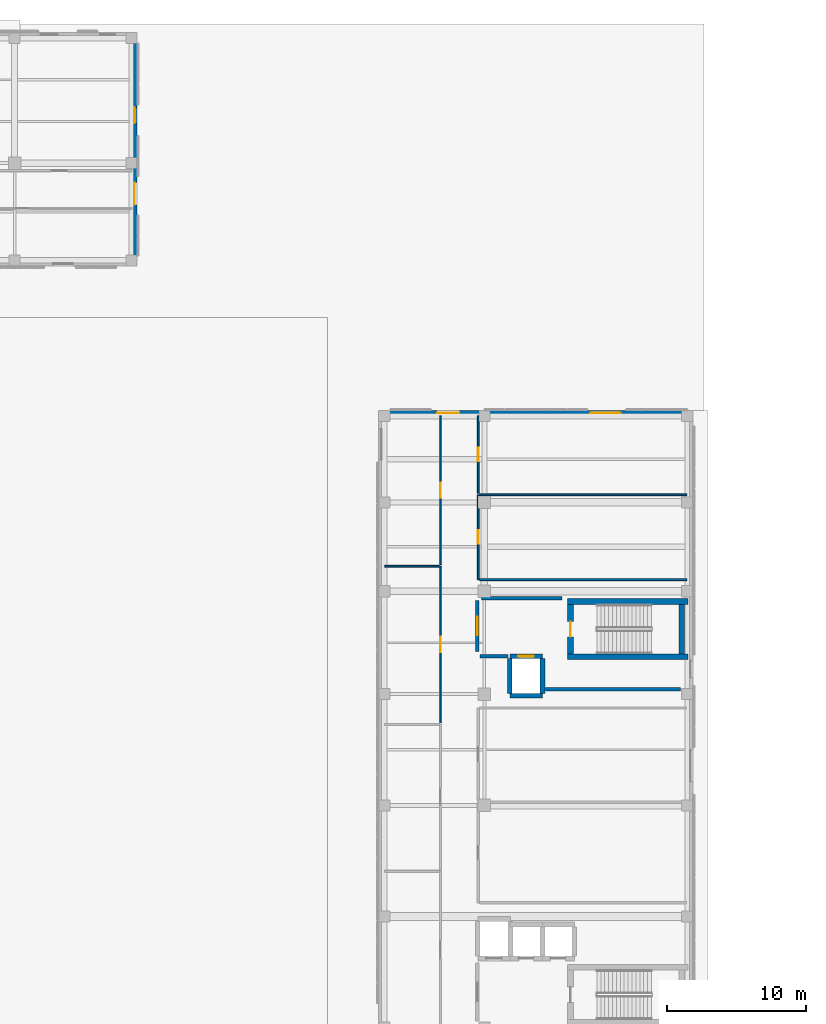
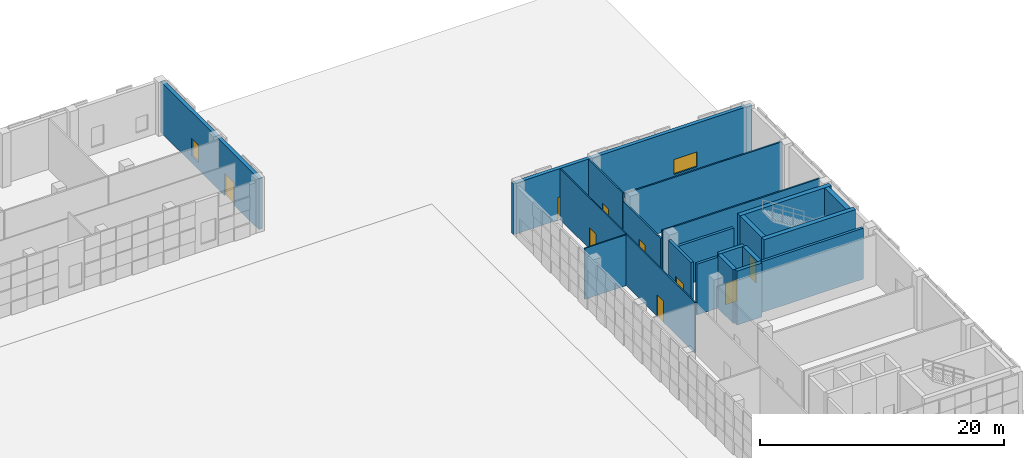
# One storey, part 16 of 40: 21 walls, 9 doors, 2 windows, 11 openings.
"""IFC4 building model written with IfcOpenShell, lengths in metres."""

from ifc_helpers import new_model, si_unit, direction, frame, frame_2d, origin, place, context, subcontext, project, spatial, rectangle, extrude, material, layer, layer_set, type_object, element, fill, save


model = new_model("IFC4")

# Units and contexts
model_context = context("Model", 3, precision=1e-05, world=origin(), true_north=direction((0.0, 1.0)))
body_context = subcontext(model_context, "Body", "Model", "MODEL_VIEW")
ifc_project = project(units=[si_unit("LENGTHUNIT", "METRE"), si_unit("AREAUNIT", "SQUARE_METRE"), si_unit("VOLUMEUNIT", "CUBIC_METRE"), si_unit("PLANEANGLEUNIT", "RADIAN"), si_unit("MASSUNIT", "GRAM", prefix="KILO")], contexts=[model_context])

# Site, building, storey
site_placement = place(None, origin())
site = spatial("IfcSite", under=ifc_project, at=site_placement, CompositionType="ELEMENT")
building_placement = place(site_placement, origin())
building = spatial("IfcBuilding", under=site, at=building_placement, Name="Qalavern Law Courts", CompositionType="ELEMENT")
storey_placement = place(building_placement, origin())
storey = spatial("IfcBuildingStorey", under=building, at=storey_placement, Name="L00", CompositionType="ELEMENT", Elevation=0.0)

# Wall, openings, door, window
ifc_material_1 = material(Name="Concrete C40/50", Category="concrete")
ifc_layer_1 = layer(ifc_material_1, 0.340087890625)
ifc_layer_set_1 = layer_set([ifc_layer_1], Name="Concrete C40/50")
wall_type_1 = type_object("IfcWallType", Name="ENV-EW-340", PredefinedType="SOLIDWALL", material=ifc_layer_set_1)
wall_1_placement = place(storey_placement, frame((106.800048828125, 85.6298828125, 0.0), z_axis=(0.0, 0.0, 1.0), x_axis=(-1.0, 0.0, 0.0)))
wall_1 = element("IfcWall", 1, at=wall_1_placement, inside=storey, type_object=wall_type_1, Name="V4 exterior wall L00 north 1", PredefinedType="SOLIDWALL", context=body_context, shape_type="SweptSolid", body=[
    extrude(rectangle(XDim=22.60009765625, YDim=0.340087890625, at=frame_2d((11.300048828125, 0.0))), origin(), (0.0, 0.0, 1.0), 5.10009765625),
])
opening_1_placement = place(wall_1_placement, frame((16.800048828125, 0.0, 0.0)))
opening_1 = element("IfcOpeningElement", 2, at=opening_1_placement, cuts=wall_1, Name="Opening ED-CORR-V4N", PredefinedType="OPENING", context=body_context, shape_type="SweptSolid", body=[
    extrude(rectangle(XDim=1.60009765625, YDim=2.260009765625, at=frame_2d((0.800048828125, 1.1298828125))), frame((0.0, 0.18505859375, 0.0), z_axis=(0.0, -1.0, 0.0), x_axis=(1.0, 0.0, 0.0)), (0.0, 0.0, 1.0), 0.369873046875),
])
opening_2_placement = place(wall_1_placement, frame((5.199951171875, 0.0, 0.719970703125)))
opening_2 = element("IfcOpeningElement", 3, at=opening_2_placement, cuts=wall_1, Name="Opening WN-08", PredefinedType="OPENING", context=body_context, shape_type="SweptSolid", body=[
    extrude(rectangle(XDim=2.199951171875, YDim=1.5, at=frame_2d((1.10009765625, 0.75))), frame((0.0, 0.18505859375, 0.0), z_axis=(0.0, -1.0, 0.0), x_axis=(1.0, 0.0, 0.0)), (0.0, 0.0, 1.0), 0.369873046875),
])
ifc_material_2 = material(Name="Thermally broken anodised aluminium and laminated safety glass", Category="aluminium")
door_type_1 = type_object("IfcDoorType", Name="ENV-ED-1600x2260", OperationType="DOUBLE_DOOR_SINGLE_SWING", PredefinedType="DOOR", material=ifc_material_2)
door_1_placement = place(opening_1_placement, frame((1.60009765625, 0.0, 0.0), z_axis=(0.0, 0.0, 1.0), x_axis=(-1.0, 0.0, 0.0)))
door_1 = element("IfcDoor", 4, at=door_1_placement, inside=storey, type_object=door_type_1, Name="Ground pedestrian exit door ED-CORR-V4N", OperationType="DOUBLE_DOOR_SINGLE_SWING", OverallHeight=2.260009765625, OverallWidth=1.60009765625, PredefinedType="DOOR", context=body_context, shape_type="SweptSolid", body=[
    extrude(rectangle(XDim=1.60009765625, YDim=2.260009765625, at=frame_2d((0.800048828125, 1.1298828125))), frame((0.0, 0.02490234375, 0.0), z_axis=(0.0, -1.0, 0.0), x_axis=(1.0, 0.0, 0.0)), (0.0, 0.0, 1.0), 0.050048828125),
])
fill(opening_1, door_1)
ifc_material_3 = material(Name="Anodised aluminium frame with low-E double glazing", Category="aluminium")
window_type_1 = type_object("IfcWindowType", Name="ENV-WIN-2200x1500", PartitioningType="SINGLE_PANEL", PredefinedType="WINDOW", material=ifc_material_3)
window_1_placement = place(opening_2_placement, origin())
window_1 = element("IfcWindow", 5, at=window_1_placement, inside=storey, type_object=window_type_1, Name="V4 window L00 north 2", OverallHeight=1.5, OverallWidth=2.199951171875, PartitioningType="SINGLE_PANEL", PredefinedType="WINDOW", context=body_context, shape_type="SweptSolid", body=[
    extrude(rectangle(XDim=2.199951171875, YDim=1.5, at=frame_2d((1.10009765625, 0.75))), frame((0.0, 0.030029296875, 0.0), z_axis=(0.0, -1.0, 0.0), x_axis=(1.0, 0.0, 0.0)), (0.0, 0.0, 1.0), 0.06005859375),
])
fill(opening_2, window_1)

wall_2_placement = place(storey_placement, frame((66.6298828125, 96.534912109375, 0.0), z_axis=(0.0, 0.0, 1.0), x_axis=(0.0, 1.0, 0.0)))
wall_2 = element("IfcWall", 6, at=wall_2_placement, inside=storey, type_object=wall_type_1, Name="V5 exterior wall L00 east 1", PredefinedType="SOLIDWALL", context=body_context, shape_type="SweptSolid", body=[
    extrude(rectangle(XDim=16.130126953125, YDim=0.340087890625, at=frame_2d((8.06494140625, 0.0))), origin(), (0.0, 0.0, 1.0), 5.10009765625),
])
opening_3_placement = place(wall_2_placement, frame((4.06494140625, 0.0, 0.0)))
opening_3 = element("IfcOpeningElement", 7, at=opening_3_placement, cuts=wall_2, Name="Opening ED-CORR-V5E", PredefinedType="OPENING", context=body_context, shape_type="SweptSolid", body=[
    extrude(rectangle(XDim=1.60009765625, YDim=2.260009765625, at=frame_2d((0.800048828125, 1.1298828125))), frame((0.0, 0.18505859375, 0.0), z_axis=(0.0, -1.0, 0.0), x_axis=(1.0, 0.0, 0.0)), (0.0, 0.0, 1.0), 0.369873046875),
])
opening_4_placement = place(wall_2_placement, frame((9.925048828125, 0.0, 0.719970703125)))
opening_4 = element("IfcOpeningElement", 8, at=opening_4_placement, cuts=wall_2, Name="Opening WN-09", PredefinedType="OPENING", context=body_context, shape_type="SweptSolid", body=[
    extrude(rectangle(XDim=1.14990234375, YDim=1.75, at=frame_2d((0.574951171875, 0.875))), frame((0.0, 0.18505859375, 0.0), z_axis=(0.0, -1.0, 0.0), x_axis=(1.0, 0.0, 0.0)), (0.0, 0.0, 1.0), 0.369873046875),
])
door_2_placement = place(opening_3_placement, frame((1.60009765625, 0.0, 0.0), z_axis=(0.0, 0.0, 1.0), x_axis=(-1.0, 0.0, 0.0)))
door_2 = element("IfcDoor", 9, at=door_2_placement, inside=storey, type_object=door_type_1, Name="Ground pedestrian exit door ED-CORR-V5E", OperationType="DOUBLE_DOOR_SINGLE_SWING", OverallHeight=2.260009765625, OverallWidth=1.60009765625, PredefinedType="DOOR", context=body_context, shape_type="SweptSolid", body=[
    extrude(rectangle(XDim=1.60009765625, YDim=2.260009765625, at=frame_2d((0.800048828125, 1.1298828125))), frame((0.0, 0.02490234375, 0.0), z_axis=(0.0, -1.0, 0.0), x_axis=(1.0, 0.0, 0.0)), (0.0, 0.0, 1.0), 0.050048828125),
])
fill(opening_3, door_2)
window_type_2 = type_object("IfcWindowType", Name="ENV-WIN-1150x1750", PartitioningType="SINGLE_PANEL", PredefinedType="WINDOW", material=ifc_material_3)
window_2_placement = place(opening_4_placement, origin())
window_2 = element("IfcWindow", 10, at=window_2_placement, inside=storey, type_object=window_type_2, Name="V5 window L00 east 3", OverallHeight=1.75, OverallWidth=1.14990234375, PartitioningType="SINGLE_PANEL", PredefinedType="WINDOW", context=body_context, shape_type="SweptSolid", body=[
    extrude(rectangle(XDim=1.14990234375, YDim=1.75, at=frame_2d((0.574951171875, 0.875))), frame((0.0, 0.030029296875, 0.0), z_axis=(0.0, -1.0, 0.0), x_axis=(1.0, 0.0, 0.0)), (0.0, 0.0, 1.0), 0.06005859375),
])
fill(opening_4, window_2)

# Walls
ifc_material_4 = material(Name="Concrete C45/55", Category="concrete")
ifc_layer_2 = layer(ifc_material_4, 0.4150390625)
ifc_layer_set_2 = layer_set([ifc_layer_2], Name="Concrete C45/55")
wall_type_2 = type_object("IfcWallType", Name="INT-CW-415", PredefinedType="SHEAR", material=ifc_layer_set_2)
wall_3_placement = place(storey_placement, frame((97.784912109375, 68.092529296875, 0.0), z_axis=(0.0, 0.0, 1.0), x_axis=(1.0, 0.0, 0.0)))
element("IfcWall", 11, at=wall_3_placement, inside=storey, type_object=wall_type_2, Name="Core K1B stair shear wall L00 south", PredefinedType="SHEAR", context=body_context, shape_type="SweptSolid", body=[
    extrude(rectangle(XDim=8.672119140625, YDim=0.4150390625, at=frame_2d((4.3359375, 0.0))), origin(), (0.0, 0.0, 1.0), 5.39990234375),
])
wall_4_placement = place(storey_placement, frame((106.007568359375, 68.300048828125, 0.0), z_axis=(0.0, 0.0, 1.0), x_axis=(0.0, 1.0, 0.0)))
element("IfcWall", 12, at=wall_4_placement, inside=storey, type_object=wall_type_2, Name="Core K1B stair shear wall L00 east", PredefinedType="SHEAR", context=body_context, shape_type="SweptSolid", body=[
    extrude(rectangle(XDim=3.550048828125, YDim=0.4150390625, at=frame_2d((1.77490234375, 0.0))), origin(), (0.0, 0.0, 1.0), 5.39990234375),
])
wall_5_placement = place(storey_placement, frame((106.45703125, 72.0576171875, 0.0), z_axis=(0.0, 0.0, 1.0), x_axis=(-1.0, 0.0, 0.0)))
element("IfcWall", 13, at=wall_5_placement, inside=storey, type_object=wall_type_2, Name="Core K1B stair shear wall L00 north", PredefinedType="SHEAR", context=body_context, shape_type="SweptSolid", body=[
    extrude(rectangle(XDim=8.672119140625, YDim=0.4150390625, at=frame_2d((4.3359375, 0.0))), origin(), (0.0, 0.0, 1.0), 5.39990234375),
])

# Wall, opening, door
wall_6_placement = place(storey_placement, frame((97.992431640625, 71.85009765625, 0.0), z_axis=(0.0, 0.0, 1.0), x_axis=(0.0, -1.0, 0.0)))
wall_6 = element("IfcWall", 14, at=wall_6_placement, inside=storey, type_object=wall_type_2, Name="Core K1B stair shear wall L00 west", PredefinedType="SHEAR", context=body_context, shape_type="SweptSolid", body=[
    extrude(rectangle(XDim=3.550048828125, YDim=0.4150390625, at=frame_2d((1.77490234375, 0.0))), origin(), (0.0, 0.0, 1.0), 5.39990234375),
])
opening_5_placement = place(wall_6_placement, frame((1.22509765625, 0.0, 0.0)))
opening_5 = element("IfcOpeningElement", 15, at=opening_5_placement, cuts=wall_6, Name="Opening L00-D029", PredefinedType="OPENING", context=body_context, shape_type="SweptSolid", body=[
    extrude(rectangle(XDim=1.10009765625, YDim=2.14990234375, at=frame_2d((0.550048828125, 1.074951171875))), frame((0.0, 0.222412109375, 0.0), z_axis=(0.0, -1.0, 0.0), x_axis=(1.0, 0.0, 0.0)), (0.0, 0.0, 1.0), 0.44482421875),
])
ifc_material_5 = material(Name="Steel fire-rated stair enclosure door", Category="steel")
door_type_2 = type_object("IfcDoorType", Name="INT-FD-1100x2150", OperationType="NOTDEFINED", PredefinedType="DOOR", material=ifc_material_5)
door_3_placement = place(opening_5_placement, frame((1.10009765625, 0.0, 0.0), z_axis=(0.0, 0.0, 1.0), x_axis=(-1.0, 0.0, 0.0)))
door_3 = element("IfcDoor", 16, at=door_3_placement, inside=storey, type_object=door_type_2, Name="Stair K1B fire door L00", OperationType="SINGLE_SWING_LEFT", OverallHeight=2.14990234375, OverallWidth=1.10009765625, PredefinedType="DOOR", context=body_context, shape_type="SweptSolid", body=[
    extrude(rectangle(XDim=1.10009765625, YDim=2.14990234375, at=frame_2d((0.550048828125, 1.074951171875))), frame((0.0, 0.02490234375, 0.0), z_axis=(0.0, -1.0, 0.0), x_axis=(1.0, 0.0, 0.0)), (0.0, 0.0, 1.0), 0.050048828125),
])
fill(opening_5, door_3)

ifc_layer_3 = layer(ifc_material_1, 0.2451171875)
ifc_layer_set_3 = layer_set([ifc_layer_3], Name="Concrete C40/50")
wall_type_3 = type_object("IfcWallType", Name="INT-FW-245", PredefinedType="PARTITIONING", material=ifc_layer_set_3)
wall_7_placement = place(storey_placement, frame((91.300048828125, 68.449951171875, 0.0), z_axis=(0.0, 0.0, 1.0), x_axis=(0.0, 1.0, 0.0)))
wall_7 = element("IfcWall", 17, at=wall_7_placement, inside=storey, type_object=wall_type_3, Name="Core K1B firefighting/stair lobby fire wall L00", PredefinedType="PARTITIONING", context=body_context, shape_type="SweptSolid", body=[
    extrude(rectangle(XDim=3.699951171875, YDim=0.2451171875, at=frame_2d((1.85009765625, 0.0))), origin(), (0.0, 0.0, 1.0), 5.10009765625),
])
opening_6_placement = place(wall_7_placement, frame((1.175048828125, 0.0, 0.0)))
opening_6 = element("IfcOpeningElement", 18, at=opening_6_placement, cuts=wall_7, Name="Opening L00-D030", PredefinedType="OPENING", context=body_context, shape_type="SweptSolid", body=[
    extrude(rectangle(XDim=1.35009765625, YDim=2.199951171875, at=frame_2d((0.675048828125, 1.10009765625))), frame((0.0, 0.137451171875, 0.0), z_axis=(0.0, -1.0, 0.0), x_axis=(1.0, 0.0, 0.0)), (0.0, 0.0, 1.0), 0.27490234375),
])
ifc_material_6 = material(Name="Steel fire-rated frame and acoustic timber leaves", Category="steel")
door_type_3 = type_object("IfcDoorType", Name="INT-FD-1350x2200", OperationType="DOUBLE_DOOR_SINGLE_SWING", PredefinedType="DOOR", material=ifc_material_6)
door_4_placement = place(opening_6_placement, origin())
door_4 = element("IfcDoor", 19, at=door_4_placement, inside=storey, type_object=door_type_3, Name="Core K1B lobby fire door L00", OperationType="DOUBLE_DOOR_SINGLE_SWING", OverallHeight=2.199951171875, OverallWidth=1.35009765625, PredefinedType="DOOR", context=body_context, shape_type="SweptSolid", body=[
    extrude(rectangle(XDim=1.35009765625, YDim=2.199951171875, at=frame_2d((0.675048828125, 1.10009765625))), frame((0.0, 0.02490234375, 0.0), z_axis=(0.0, -1.0, 0.0), x_axis=(1.0, 0.0, 0.0)), (0.0, 0.0, 1.0), 0.050048828125),
])
fill(opening_6, door_4)

# Walls
wall_8_placement = place(storey_placement, frame((91.60009765625, 72.300048828125, 0.0), z_axis=(0.0, 0.0, 1.0), x_axis=(1.0, 0.0, 0.0)))
element("IfcWall", 20, at=wall_8_placement, inside=storey, type_object=wall_type_3, Name="Core K1B lobby return wall L00 north", PredefinedType="PARTITIONING", context=body_context, shape_type="SweptSolid", body=[
    extrude(rectangle(XDim=5.7998046875, YDim=0.2451171875, at=frame_2d((2.89990234375, 0.0))), origin(), (0.0, 0.0, 1.0), 4.1298828125),
])
wall_9_placement = place(storey_placement, frame((91.47998046875, 68.1201171875, 0.0), z_axis=(0.0, 0.0, 1.0), x_axis=(1.0, 0.0, 0.0)))
element("IfcWall", 21, at=wall_9_placement, inside=storey, type_object=wall_type_3, Name="Core K1B protected exit discharge wall L00 sw", PredefinedType="PARTITIONING", context=body_context, shape_type="SweptSolid", body=[
    extrude(rectangle(XDim=2.02001953125, YDim=0.2451171875, at=frame_2d((1.010009765625, 0.0))), origin(), (0.0, 0.0, 1.0), 5.10009765625),
])
wall_10_placement = place(storey_placement, frame((96.199951171875, 65.760009765625, 0.0), z_axis=(0.0, 0.0, 1.0), x_axis=(1.0, 0.0, 0.0)))
element("IfcWall", 22, at=wall_10_placement, inside=storey, type_object=wall_type_3, Name="Core K1B protected exit discharge wall L00 pas-s", PredefinedType="PARTITIONING", context=body_context, shape_type="SweptSolid", body=[
    extrude(rectangle(XDim=9.699951171875, YDim=0.2451171875, at=frame_2d((4.85009765625, 0.0))), origin(), (0.0, 0.0, 1.0), 5.10009765625),
])

# Wall, opening, door
ifc_material_7 = material(Name="Gypsum sanitary partition")
ifc_layer_4 = layer(ifc_material_7, 0.10205078125)
ifc_layer_set_4 = layer_set([ifc_layer_4], Name="Gypsum sanitary partition")
wall_type_4 = type_object("IfcWallType", Name="INT-PW-102", PredefinedType="PARTITIONING", material=ifc_layer_set_4)
wall_11_placement = place(storey_placement, frame((88.639892578125, 74.719970703125, 0.0), z_axis=(0.0, 0.0, 1.0), x_axis=(0.0, 1.0, 0.0)))
wall_11 = element("IfcWall", 23, at=wall_11_placement, inside=storey, type_object=wall_type_4, Name="Legal Aid Clinic corridor partition L00", PredefinedType="PARTITIONING", context=body_context, shape_type="SweptSolid", body=[
    extrude(rectangle(XDim=10.699951171875, YDim=0.10205078125, at=frame_2d((5.35009765625, 0.0))), origin(), (0.0, 0.0, 1.0), 5.10009765625),
])
opening_7_placement = place(wall_11_placement, frame((4.820068359375, 0.0, 0.0)))
opening_7 = element("IfcOpeningElement", 24, at=opening_7_placement, cuts=wall_11, Name="Opening L00-D257", PredefinedType="OPENING", context=body_context, shape_type="SweptSolid", body=[
    extrude(rectangle(XDim=1.06005859375, YDim=2.1201171875, at=frame_2d((0.530029296875, 1.06005859375))), frame((0.0, 0.06591796875, 0.0), z_axis=(0.0, -1.0, 0.0), x_axis=(1.0, 0.0, 0.0)), (0.0, 0.0, 1.0), 0.1318359375),
])
ifc_material_8 = material(Name="Solid oak Trial Judges' Chambers door")
door_type_4 = type_object("IfcDoorType", Name="INT-ID-1060x2120", OperationType="NOTDEFINED", PredefinedType="DOOR", material=ifc_material_8)
door_5_placement = place(opening_7_placement, frame((1.06005859375, 0.0, 0.0), z_axis=(0.0, 0.0, 1.0), x_axis=(-1.0, 0.0, 0.0)))
door_5 = element("IfcDoor", 25, at=door_5_placement, inside=storey, type_object=door_type_4, Name="Legal Aid Clinic door L00", OperationType="SINGLE_SWING_RIGHT", OverallHeight=2.1201171875, OverallWidth=1.06005859375, PredefinedType="DOOR", context=body_context, shape_type="SweptSolid", body=[
    extrude(rectangle(XDim=1.06005859375, YDim=2.1201171875, at=frame_2d((0.530029296875, 1.06005859375))), frame((0.0, 0.02490234375, 0.0), z_axis=(0.0, -1.0, 0.0), x_axis=(1.0, 0.0, 0.0)), (0.0, 0.0, 1.0), 0.050048828125),
])
fill(opening_7, door_5)

ifc_material_9 = material(Name="Gypsum stud partition")
ifc_layer_5 = layer(ifc_material_9, 0.112060546875)
ifc_layer_set_5 = layer_set([ifc_layer_5], Name="Gypsum stud partition")
wall_type_5 = type_object("IfcWallType", Name="INT-PW-112", PredefinedType="PARTITIONING", material=ifc_layer_set_5)
wall_12_placement = place(storey_placement, frame((88.639892578125, 63.33203125, 0.0), z_axis=(0.0, 0.0, 1.0), x_axis=(0.0, 1.0, 0.0)))
wall_12 = element("IfcWall", 26, at=wall_12_placement, inside=storey, type_object=wall_type_5, Name="Mediation Suite corridor partition L00", PredefinedType="PARTITIONING", context=body_context, shape_type="SweptSolid", body=[
    extrude(rectangle(XDim=11.26806640625, YDim=0.112060546875, at=frame_2d((5.634033203125, 0.0))), origin(), (0.0, 0.0, 1.0), 5.10009765625),
])
opening_8_placement = place(wall_12_placement, frame((5.089111328125, 0.0, 0.0)))
opening_8 = element("IfcOpeningElement", 27, at=opening_8_placement, cuts=wall_12, Name="Opening L00-D256", PredefinedType="OPENING", context=body_context, shape_type="SweptSolid", body=[
    extrude(rectangle(XDim=1.090087890625, YDim=2.1298828125, at=frame_2d((0.544921875, 1.06494140625))), frame((0.0, 0.07080078125, 0.0), z_axis=(0.0, -1.0, 0.0), x_axis=(1.0, 0.0, 0.0)), (0.0, 0.0, 1.0), 0.141845703125),
])
ifc_material_10 = material(Name="Solid oak Senior Judges' Chambers door")
door_type_5 = type_object("IfcDoorType", Name="INT-ID-1090x2130", OperationType="NOTDEFINED", PredefinedType="DOOR", material=ifc_material_10)
door_6_placement = place(opening_8_placement, frame((1.090087890625, 0.0, 0.0), z_axis=(0.0, 0.0, 1.0), x_axis=(-1.0, 0.0, 0.0)))
door_6 = element("IfcDoor", 28, at=door_6_placement, inside=storey, type_object=door_type_5, Name="Mediation Suite door L00", OperationType="SINGLE_SWING_LEFT", OverallHeight=2.1298828125, OverallWidth=1.090087890625, PredefinedType="DOOR", context=body_context, shape_type="SweptSolid", body=[
    extrude(rectangle(XDim=1.090087890625, YDim=2.1298828125, at=frame_2d((0.544921875, 1.06494140625))), frame((0.0, 0.02490234375, 0.0), z_axis=(0.0, -1.0, 0.0), x_axis=(1.0, 0.0, 0.0)), (0.0, 0.0, 1.0), 0.050048828125),
])
fill(opening_8, door_6)

# Wall
wall_13_placement = place(storey_placement, frame((84.639892578125, 74.60009765625, 0.0), z_axis=(0.0, 0.0, 1.0), x_axis=(1.0, 0.0, 0.0)))
element("IfcWall", 29, at=wall_13_placement, inside=storey, type_object=wall_type_5, Name="Mediation Suite cross partition L00 north", PredefinedType="PARTITIONING", context=body_context, shape_type="SweptSolid", body=[
    extrude(rectangle(XDim=3.924072265625, YDim=0.112060546875, at=frame_2d((1.9619140625, 0.0))), origin(), (0.0, 0.0, 1.0), 5.10009765625),
])

# Wall, opening, door
ifc_layer_6 = layer(ifc_material_9, 0.132080078125)
ifc_layer_set_6 = layer_set([ifc_layer_6], Name="Gypsum stud partition")
wall_type_6 = type_object("IfcWallType", Name="INT-PW-132", PredefinedType="PARTITIONING", material=ifc_layer_set_6)
wall_14_placement = place(storey_placement, frame((91.360107421875, 79.864990234375, 0.0), z_axis=(0.0, 0.0, 1.0), x_axis=(0.0, 1.0, 0.0)))
wall_14 = element("IfcWall", 30, at=wall_14_placement, inside=storey, type_object=wall_type_6, Name="Mediation Suite corridor partition L00", PredefinedType="PARTITIONING", context=body_context, shape_type="SweptSolid", body=[
    extrude(rectangle(XDim=5.554931640625, YDim=0.132080078125, at=frame_2d((2.77734375, 0.0))), origin(), (0.0, 0.0, 1.0), 5.10009765625),
])
opening_9_placement = place(wall_14_placement, frame((2.297607421875, 0.0, 0.0)))
opening_9 = element("IfcOpeningElement", 31, at=opening_9_placement, cuts=wall_14, Name="Opening L00-D261", PredefinedType="OPENING", context=body_context, shape_type="SweptSolid", body=[
    extrude(rectangle(XDim=0.9599609375, YDim=2.080078125, at=frame_2d((0.47998046875, 1.0400390625))), frame((0.0, 0.0810546875, 0.0), z_axis=(0.0, -1.0, 0.0), x_axis=(1.0, 0.0, 0.0)), (0.0, 0.0, 1.0), 0.161865234375),
])
ifc_material_11 = material(Name="Timber Counsel Consultation door", Category="wood")
door_type_6 = type_object("IfcDoorType", Name="INT-ID-960x2080", OperationType="NOTDEFINED", PredefinedType="DOOR", material=ifc_material_11)
door_7_placement = place(opening_9_placement, origin())
door_7 = element("IfcDoor", 32, at=door_7_placement, inside=storey, type_object=door_type_6, Name="Mediation Suite door L00", OperationType="SINGLE_SWING_RIGHT", OverallHeight=2.080078125, OverallWidth=0.9599609375, PredefinedType="DOOR", context=body_context, shape_type="SweptSolid", body=[
    extrude(rectangle(XDim=0.9599609375, YDim=2.080078125, at=frame_2d((0.47998046875, 1.0400390625))), frame((0.0, 0.02490234375, 0.0), z_axis=(0.0, -1.0, 0.0), x_axis=(1.0, 0.0, 0.0)), (0.0, 0.0, 1.0), 0.050048828125),
])
fill(opening_9, door_7)

ifc_layer_7 = layer(ifc_material_9, 0.14208984375)
ifc_layer_set_7 = layer_set([ifc_layer_7], Name="Gypsum stud partition")
wall_type_7 = type_object("IfcWallType", Name="INT-PW-142", PredefinedType="PARTITIONING", material=ifc_layer_set_7)
wall_15_placement = place(storey_placement, frame((91.360107421875, 73.639892578125, 0.0), z_axis=(0.0, 0.0, 1.0), x_axis=(0.0, 1.0, 0.0)))
wall_15 = element("IfcWall", 33, at=wall_15_placement, inside=storey, type_object=wall_type_7, Name="Commercial Filing Hall corridor partition L00", PredefinedType="PARTITIONING", context=body_context, shape_type="SweptSolid", body=[
    extrude(rectangle(XDim=6.105224609375, YDim=0.14208984375, at=frame_2d((3.052734375, 0.0))), origin(), (0.0, 0.0, 1.0), 4.330078125),
])
opening_10_placement = place(wall_15_placement, frame((2.5625, 0.0, 0.0)))
opening_10 = element("IfcOpeningElement", 34, at=opening_10_placement, cuts=wall_15, Name="Opening L00-D260", PredefinedType="OPENING", context=body_context, shape_type="SweptSolid", body=[
    extrude(rectangle(XDim=0.97998046875, YDim=2.090087890625, at=frame_2d((0.489990234375, 1.044921875))), frame((0.0, 0.0859375, 0.0), z_axis=(0.0, -1.0, 0.0), x_axis=(1.0, 0.0, 0.0)), (0.0, 0.0, 1.0), 0.171875),
])
ifc_material_12 = material(Name="Timber Legal Research Office door", Category="wood")
door_type_7 = type_object("IfcDoorType", Name="INT-ID-980x2090", OperationType="NOTDEFINED", PredefinedType="DOOR", material=ifc_material_12)
door_8_placement = place(opening_10_placement, origin())
door_8 = element("IfcDoor", 35, at=door_8_placement, inside=storey, type_object=door_type_7, Name="Commercial Filing Hall door L00", OperationType="SINGLE_SWING_LEFT", OverallHeight=2.090087890625, OverallWidth=0.97998046875, PredefinedType="DOOR", context=body_context, shape_type="SweptSolid", body=[
    extrude(rectangle(XDim=0.97998046875, YDim=2.090087890625, at=frame_2d((0.489990234375, 1.044921875))), frame((0.0, 0.02490234375, 0.0), z_axis=(0.0, -1.0, 0.0), x_axis=(1.0, 0.0, 0.0)), (0.0, 0.0, 1.0), 0.050048828125),
])
fill(opening_10, door_8)

# Walls
for number, where, z_axis, x_axis, name in (
    (36, (91.450927734375, 73.639892578125, 0.0), (0.0, 0.0, 1.0), (1.0, 0.0, 0.0), "Commercial Filing Hall cross partition L00 south"),
    (37, (91.450927734375, 79.7451171875, 0.0), (0.0, 0.0, 1.0), (1.0, 0.0, 0.0), "Commercial Filing Hall cross partition L00 north"),
):
    element("IfcWall", number, at=place(storey_placement, frame(where, z_axis=z_axis, x_axis=x_axis)), inside=storey, type_object=wall_type_7, Name=name, PredefinedType="PARTITIONING", context=body_context, shape_type="SweptSolid", body=[
        extrude(rectangle(XDim=14.9091796875, YDim=0.14208984375, at=frame_2d((7.45458984375, 0.0))), origin(), (0.0, 0.0, 1.0), 5.10009765625),
    ])
ifc_layer_8 = layer(ifc_material_4, 0.344970703125)
ifc_layer_set_8 = layer_set([ifc_layer_8], Name="Concrete C45/55")
wall_type_8 = type_object("IfcWallType", Name="INT-SW-345", PredefinedType="SHEAR", material=ifc_layer_set_8)
wall_16_placement = place(storey_placement, frame((93.62744140625, 65.277587890625, 0.0), z_axis=(0.0, 0.0, 1.0), x_axis=(1.0, 0.0, 0.0)))
element("IfcWall", 38, at=wall_16_placement, inside=storey, type_object=wall_type_8, Name="Lift LF-FF2 shaft wall L00 south", PredefinedType="SHEAR", context=body_context, shape_type="SweptSolid", body=[
    extrude(rectangle(XDim=2.344970703125, YDim=0.344970703125, at=frame_2d((1.17236328125, 0.0))), origin(), (0.0, 0.0, 1.0), 5.39990234375),
])
wall_17_placement = place(storey_placement, frame((95.972412109375, 65.449951171875, 0.0), z_axis=(0.0, 0.0, 1.0), x_axis=(0.0, 1.0, 0.0)))
element("IfcWall", 39, at=wall_17_placement, inside=storey, type_object=wall_type_8, Name="Lift LF-FF2 shaft wall L00 east", PredefinedType="SHEAR", context=body_context, shape_type="SweptSolid", body=[
    extrude(rectangle(XDim=2.5, YDim=0.344970703125, at=frame_2d((1.25, 0.0))), origin(), (0.0, 0.0, 1.0), 5.39990234375),
])

# Wall, opening, door
wall_18_placement = place(storey_placement, frame((95.972412109375, 68.12255859375, 0.0), z_axis=(0.0, 0.0, 1.0), x_axis=(-1.0, 0.0, 0.0)))
wall_18 = element("IfcWall", 40, at=wall_18_placement, inside=storey, type_object=wall_type_8, Name="Lift LF-FF2 shaft wall L00 north", PredefinedType="SHEAR", context=body_context, shape_type="SweptSolid", body=[
    extrude(rectangle(XDim=2.344970703125, YDim=0.344970703125, at=frame_2d((1.17236328125, 0.0))), origin(), (0.0, 0.0, 1.0), 5.39990234375),
])
opening_11_placement = place(wall_18_placement, frame((0.62255859375, 0.0, 0.0)))
opening_11 = element("IfcOpeningElement", 41, at=opening_11_placement, cuts=wall_18, Name="Opening LD-LF-FF2-L00", PredefinedType="OPENING", context=body_context, shape_type="SweptSolid", body=[
    extrude(rectangle(XDim=1.10009765625, YDim=2.159912109375, at=frame_2d((0.550048828125, 1.080078125))), frame((0.0, 0.1875, 0.0), z_axis=(0.0, -1.0, 0.0), x_axis=(1.0, 0.0, 0.0)), (0.0, 0.0, 1.0), 0.374755859375),
])
ifc_material_13 = material(Name="Stainless steel firefighting lift sliding landing door", Category="steel")
door_type_8 = type_object("IfcDoorType", Name="INT-LD-1100x2160", OperationType="DOUBLE_DOOR_SLIDING", PredefinedType="DOOR", material=ifc_material_13)
door_9_placement = place(opening_11_placement, origin())
door_9 = element("IfcDoor", 42, at=door_9_placement, inside=storey, type_object=door_type_8, Name="Lift LF-FF2 sliding landing door L00", OperationType="DOUBLE_DOOR_SLIDING", OverallHeight=2.159912109375, OverallWidth=1.10009765625, PredefinedType="DOOR", context=body_context, shape_type="SweptSolid", body=[
    extrude(rectangle(XDim=1.10009765625, YDim=2.159912109375, at=frame_2d((0.550048828125, 1.080078125))), frame((0.0, 0.02490234375, 0.0), z_axis=(0.0, -1.0, 0.0), x_axis=(1.0, 0.0, 0.0)), (0.0, 0.0, 1.0), 0.050048828125),
])
fill(opening_11, door_9)

# Wall
wall_19_placement = place(storey_placement, frame((93.62744140625, 67.949951171875, 0.0), z_axis=(0.0, 0.0, 1.0), x_axis=(0.0, -1.0, 0.0)))
element("IfcWall", 43, at=wall_19_placement, inside=storey, type_object=wall_type_8, Name="Lift LF-FF2 shaft wall L00 west", PredefinedType="SHEAR", context=body_context, shape_type="SweptSolid", body=[
    extrude(rectangle(XDim=2.5, YDim=0.344970703125, at=frame_2d((1.25, 0.0))), origin(), (0.0, 0.0, 1.0), 5.39990234375),
])

save(model, "model.ifc")
